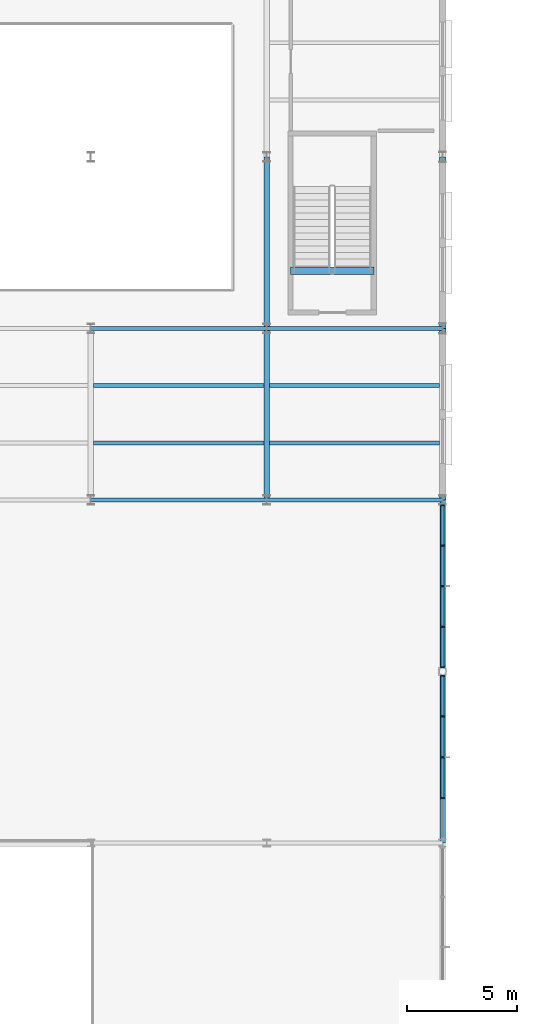
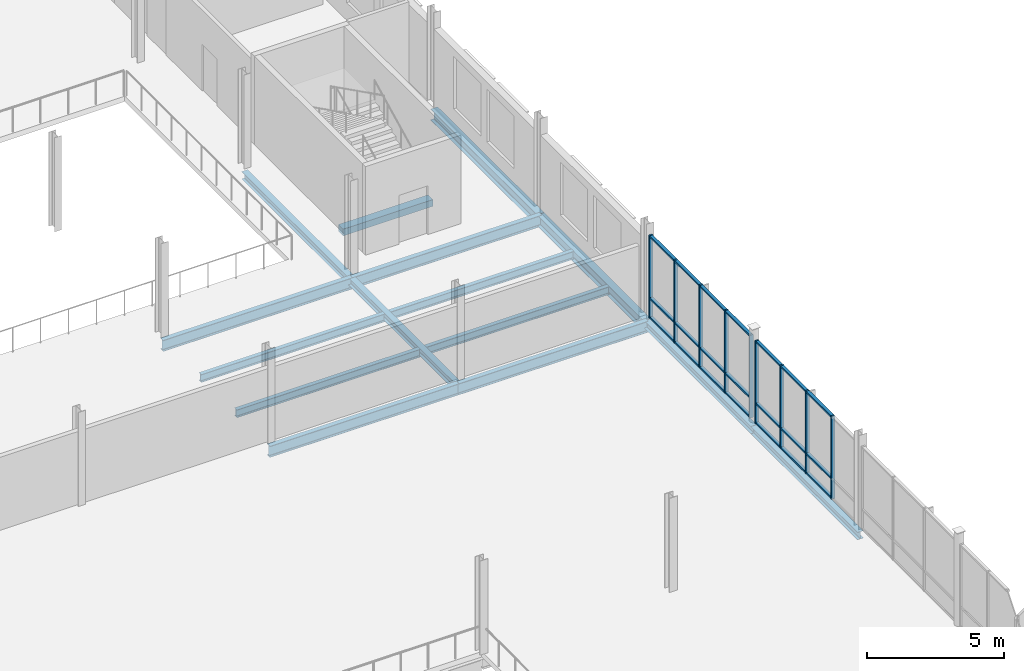
# One storey, part 31 of 75: 30 members, 15 beams, 2 elements without a shape of their own.
"""IFC4 building model written with IfcOpenShell, lengths in metres."""

import ifcopenshell
import ifcopenshell.guid

model = None  # the IFC model being written
_history = None  # IfcOwnerHistory: only IFC2X3 demands one
_inside = {}  # id of a spatial element -> (the spatial element, [elements in it])
_under = {}  # id of a project, library or spatial element -> (it, [spatial elements below it])
_declared = {}  # id of a project -> (the project, [libraries it declares])
_typed = {}  # id of a type object -> (the type object, [elements of that type])
_made_of = {}  # id of a material, layer set ... -> (it, [elements and type objects made of it])


def new_model(schema):
    """Start an empty IFC model of exactly this schema.

    Asked for "IFC4X3", IfcOpenShell would pick the latest addendum, in which some entities
    have other attributes; the version numbers below select the first issue.
    IFC2X3 requires an IfcOwnerHistory on every rooted entity: one is made here for all.
    """
    global model, _history
    if schema == "IFC4X3":
        model = ifcopenshell.file(schema_version=(4, 3, 0, 0))
    else:
        model = ifcopenshell.file(schema=schema)
    _inside.clear()
    _under.clear()
    _declared.clear()
    _typed.clear()
    _made_of.clear()
    _history = None
    if model.schema == "IFC2X3":
        org = make("IfcOrganization", Name="unknown")
        user = make(
            "IfcPersonAndOrganization",
            ThePerson=make("IfcPerson", FamilyName="unknown"),
            TheOrganization=org,
        )
        app = make(
            "IfcApplication",
            ApplicationDeveloper=org,
            Version="unknown",
            ApplicationFullName="unknown",
            ApplicationIdentifier="unknown",
        )
        _history = make(
            "IfcOwnerHistory",
            OwningUser=user,
            OwningApplication=app,
            ChangeAction="ADDED",
            CreationDate=0,
        )
    return model


def make(cls, **values):
    """One entity of the class cls with the attributes given. An attribute that is None is left unset."""
    return model.create_entity(
        cls, **{name: value for name, value in values.items() if value is not None}
    )


def rooted(cls, **values):
    """An entity with a GlobalId (a new one), such as an element, a storey or a relation."""
    return make(cls, GlobalId=ifcopenshell.guid.new(), OwnerHistory=_history, **values)


def si_unit(unit_type, name, prefix=None):
    """IfcSIUnit, for example si_unit("LENGTHUNIT", "METRE", prefix="MILLI")."""
    return make("IfcSIUnit", UnitType=unit_type, Prefix=prefix, Name=name)


def assignment(units):
    """IfcUnitAssignment: the units of a project."""
    return None if units is None else make("IfcUnitAssignment", Units=units)


def point(xyz):
    """IfcCartesianPoint."""
    return None if xyz is None else make("IfcCartesianPoint", Coordinates=xyz)


def direction(xyz):
    """IfcDirection."""
    return None if xyz is None else make("IfcDirection", DirectionRatios=xyz)


def frame(location, z_axis=None, x_axis=None):
    """IfcAxis2Placement3D, a coordinate frame: its origin and axes. An axis left out is left unset."""
    return make(
        "IfcAxis2Placement3D",
        Location=point(location),
        Axis=direction(z_axis),
        RefDirection=direction(x_axis),
    )


def frame_2d(location, x_axis=None):
    """IfcAxis2Placement2D, a coordinate frame in the plane: its origin and x axis."""
    return make(
        "IfcAxis2Placement2D", Location=point(location), RefDirection=direction(x_axis)
    )


def origin():
    """The frame at (0, 0, 0) with its axes left unset."""
    return frame((0.0, 0.0, 0.0))


def origin_2d():
    """The frame at (0, 0) in the plane with its x axis left unset."""
    return frame_2d((0.0, 0.0))


def place(relative_to, where):
    """IfcLocalPlacement: puts the frame where relative to a parent placement (None: the world)."""
    return make(
        "IfcLocalPlacement", PlacementRelTo=relative_to, RelativePlacement=where
    )


def context(
    kind, dimensions, precision=None, world=None, true_north=None, identifier=None
):
    """IfcGeometricRepresentationContext, for example the 3D "Model" context."""
    return make(
        "IfcGeometricRepresentationContext",
        ContextIdentifier=identifier,
        ContextType=kind,
        CoordinateSpaceDimension=dimensions,
        Precision=precision,
        WorldCoordinateSystem=world,
        TrueNorth=true_north,
    )


def subcontext(parent, identifier, kind, view, scale=None):
    """IfcGeometricRepresentationSubContext, for example "Body" below "Model"."""
    return make(
        "IfcGeometricRepresentationSubContext",
        ContextIdentifier=identifier,
        ContextType=kind,
        ParentContext=parent,
        TargetScale=scale,
        TargetView=view,
    )


def project(units=None, contexts=None):
    """IfcProject with its units and contexts."""
    return rooted(
        "IfcProject",
        Name="project",
        RepresentationContexts=contexts,
        UnitsInContext=assignment(units),
    )


def spatial(cls, under=None, at=None, **own):
    """A site, building, storey or space (cls), placed at a placement, below another one or the project."""
    s = rooted(cls, ObjectPlacement=at, **own)
    if under is not None:
        _under.setdefault(under.id(), (under, []))[1].append(s)
    return s


def profile(cls, at=None, kind="AREA", **sizes):
    """A parametric profile (cls). Its sizes go by their IFC names, for example OverallWidth=200.0."""
    return make(cls, ProfileType=kind, Position=at, **sizes)


def rectangle(**sizes):
    """IfcRectangleProfileDef."""
    return profile("IfcRectangleProfileDef", **sizes)


def i_section(**sizes):
    """IfcIShapeProfileDef."""
    return profile("IfcIShapeProfileDef", **sizes)


def extrude(swept, where, along, depth):
    """IfcExtrudedAreaSolid: the profile swept, set in the frame where, extruded along a direction by depth."""
    return make(
        "IfcExtrudedAreaSolid",
        SweptArea=swept,
        Position=where,
        ExtrudedDirection=direction(along),
        Depth=depth,
    )


def shape(context_of_items, identifier, shape_type, items):
    """IfcShapeRepresentation: the items that make up one representation, for example the "Body"."""
    return make(
        "IfcShapeRepresentation",
        ContextOfItems=context_of_items,
        RepresentationIdentifier=identifier,
        RepresentationType=shape_type,
        Items=items,
    )


def material(Name=None, Category=None):
    """IfcMaterial."""
    return make("IfcMaterial", Name=Name, Category=Category)


def layer(
    of_material, thickness, ventilated=None, Name=None, Category=None, Priority=None
):
    """IfcMaterialLayer: one layer of a wall or slab, of a material (None: an air gap)."""
    return make(
        "IfcMaterialLayer",
        Material=of_material,
        LayerThickness=thickness,
        IsVentilated=ventilated,
        Name=Name,
        Category=Category,
        Priority=Priority,
    )


def layer_set(layers, Name=None):
    """IfcMaterialLayerSet."""
    return make("IfcMaterialLayerSet", MaterialLayers=layers, LayerSetName=Name)


def material_profile(
    of_material, cross_section, Name=None, Category=None, Priority=None
):
    """IfcMaterialProfile: a cross section and its material."""
    return make(
        "IfcMaterialProfile",
        Name=Name,
        Material=of_material,
        Profile=cross_section,
        Priority=Priority,
        Category=Category,
    )


def profile_set(profiles, Name=None, composite=None):
    """IfcMaterialProfileSet."""
    return make(
        "IfcMaterialProfileSet",
        Name=Name,
        MaterialProfiles=profiles,
        CompositeProfile=composite,
    )


def made_of(thing, what):
    """Note that an element or type object is made of a material, layer set ...; save() writes the relation."""
    if what is not None:
        _made_of.setdefault(what.id(), (what, []))[1].append(thing)
    return thing


def type_object(cls, material=None, **own):
    """A type object (cls), such as IfcWallType, which elements share."""
    return made_of(rooted(cls, **own), material)


def element(
    cls,
    number,
    at=None,
    inside=None,
    cuts=None,
    type_object=None,
    material=None,
    context=None,
    identifier="Body",
    shape_type=None,
    held_by="IfcProductDefinitionShape",
    body=None,
    shapes=None,
    **own,
):
    """One element of the class cls, such as IfcWall. Its Tag is "e" and its number.

    at: its placement. inside: the storey or other place that contains it. cuts: it is an
    opening in that element (IfcRelVoidsElement). A single representation is given by context,
    identifier, shape_type and body (its items); several are given by shapes. held_by: the class
    of the entity that holds the representations. save() writes the other relations.
    """
    e = rooted(cls, Tag="e%d" % number, ObjectPlacement=at, **own)
    if body is not None:
        shapes = [shape(context, identifier, shape_type, body)]
    if shapes is not None:
        e.Representation = make(held_by, Representations=shapes)
    if inside is not None:
        _inside.setdefault(inside.id(), (inside, []))[1].append(e)
    if cuts is not None:
        rooted(
            "IfcRelVoidsElement", RelatingBuildingElement=cuts, RelatedOpeningElement=e
        )
    if type_object is not None:
        _typed.setdefault(type_object.id(), (type_object, []))[1].append(e)
    return made_of(e, material)


def aggregate(whole, parts):
    """IfcRelAggregates: a whole, such as a stair, and the parts it consists of."""
    return rooted("IfcRelAggregates", RelatingObject=whole, RelatedObjects=parts)


def save(model, path):
    """Write the relations noted so far, then the file.

    IfcRelAggregates (storeys below a building ...), IfcRelContainedInSpatialStructure (elements
    in a storey), IfcRelDefinesByType, IfcRelAssociatesMaterial and IfcRelDeclares: one each for
    every whole, place, type object, material and project.
    """
    for whole, parts in _under.values():
        aggregate(whole, parts)
    for where, things in _inside.values():
        rooted(
            "IfcRelContainedInSpatialStructure",
            RelatedElements=things,
            RelatingStructure=where,
        )
    for kind, things in _typed.values():
        rooted("IfcRelDefinesByType", RelatedObjects=things, RelatingType=kind)
    for what, things in _made_of.values():
        rooted("IfcRelAssociatesMaterial", RelatedObjects=things, RelatingMaterial=what)
    for by, libraries in _declared.values():
        rooted("IfcRelDeclares", RelatingContext=by, RelatedDefinitions=libraries)
    model.write(path)


model = new_model("IFC4")

# Units and contexts
model_context = context("Model", 3, precision=1e-05, world=origin(), true_north=direction((0.0, 1.0)))
body_context = subcontext(model_context, "Body", "Model", "MODEL_VIEW")
ifc_project = project(units=[si_unit("LENGTHUNIT", "METRE"), si_unit("AREAUNIT", "SQUARE_METRE"), si_unit("VOLUMEUNIT", "CUBIC_METRE"), si_unit("PLANEANGLEUNIT", "RADIAN"), si_unit("MASSUNIT", "GRAM", prefix="KILO")], contexts=[model_context])

# Site, building, storey
site_placement = place(None, origin())
site = spatial("IfcSite", under=ifc_project, at=site_placement, CompositionType="ELEMENT")
building_placement = place(site_placement, origin())
building = spatial("IfcBuilding", under=site, at=building_placement, Name="Yukiwa Park Conservatory and Herbarium", CompositionType="ELEMENT")
storey_placement = place(building_placement, frame((0.0, 0.0, 4.800048828125)))
storey = spatial("IfcBuildingStorey", under=building, at=storey_placement, Name="L01", CompositionType="ELEMENT", Elevation=4.800048828125)

# Beams
ifc_material_1 = material(Name="Steel Q355D", Category="steel")
ifc_material_profile_1 = material_profile(ifc_material_1, i_section(OverallWidth=0.25, OverallDepth=0.340087890625, WebThickness=0.009033203125, FlangeThickness=0.013916015625, FilletRadius=0.02001953125, at=origin_2d()), Name="HM 340x250x9x14")
ifc_profile_set_1 = profile_set([ifc_material_profile_1], Name="Steel Q355D")
beam_type_1 = type_object("IfcBeamType", Name="BM-GRD-HM340", PredefinedType="BEAM", material=ifc_profile_set_1)
for number, where, z_axis, x_axis, name in (
    (1, (100.0, 46.805908203125, -0.41015625), (0.0, 1.0, 0.0), (-1.0, 0.0, 0.0), "L01 grid girder Y-143"),
    (2, (100.0, 54.60595703125, -0.41015625), (0.0, 1.0, 0.0), (-1.0, 0.0, 0.0), "L01 grid girder Y-144"),
):
    element("IfcBeam", number, at=place(storey_placement, frame(where, z_axis=z_axis, x_axis=x_axis)), inside=storey, type_object=beam_type_1, Name=name, PredefinedType="BEAM", context=body_context, shape_type="SweptSolid", body=[
        extrude(i_section(OverallWidth=0.25, OverallDepth=0.340087890625, WebThickness=0.009033203125, FlangeThickness=0.013916015625, FilletRadius=0.02001953125, at=origin_2d()), origin(), (0.0, 0.0, 1.0), 7.7880859375),
    ])
for number, where, z_axis, x_axis, name in (
    (3, (108.0, 31.2060546875, -0.41015625), (0.0, 1.0, 0.0), (-1.0, 0.0, 0.0), "L01 grid girder Y-149"),
    (4, (108.0, 39.006103515625, -0.41015625), (0.0, 1.0, 0.0), (-1.0, 0.0, 0.0), "L01 grid girder Y-150"),
):
    element("IfcBeam", number, at=place(storey_placement, frame(where, z_axis=z_axis, x_axis=x_axis)), inside=storey, type_object=beam_type_1, Name=name, PredefinedType="BEAM", context=body_context, shape_type="SweptSolid", body=[
        extrude(i_section(OverallWidth=0.25, OverallDepth=0.340087890625, WebThickness=0.009033203125, FlangeThickness=0.013916015625, FilletRadius=0.02001953125, at=origin_2d()), origin(), (0.0, 0.0, 1.0), 7.787841796875),
    ])
ifc_material_2 = material(Name="Steel Q355D", Category="steel")
ifc_material_profile_2 = material_profile(ifc_material_2, i_section(OverallWidth=0.199951171875, OverallDepth=0.5, WebThickness=0.010009765625, FlangeThickness=0.01611328125, FilletRadius=0.02001953125, at=origin_2d()), Name="HN 500x200x10x16")
ifc_profile_set_2 = profile_set([ifc_material_profile_2], Name="Steel Q355D")
beam_type_2 = type_object("IfcBeamType", Name="BM-GRD-HN500", PredefinedType="BEAM", material=ifc_profile_set_2)
for number, where, z_axis, x_axis, name in (
    (5, (92.006103515625, 46.800048828125, -0.489990234375), (1.0, 0.0, 0.0), (0.0, 1.0, 0.0), "L01 grid beam X-36"),
    (6, (100.006103515625, 46.800048828125, -0.489990234375), (1.0, 0.0, 0.0), (0.0, 1.0, 0.0), "L01 grid beam X-37"),
    (7, (92.006103515625, 54.60009765625, -0.489990234375), (1.0, 0.0, 0.0), (0.0, 1.0, 0.0), "L01 grid beam X-42"),
    (8, (100.006103515625, 54.60009765625, -0.489990234375), (1.0, 0.0, 0.0), (0.0, 1.0, 0.0), "L01 grid beam X-43"),
):
    element("IfcBeam", number, at=place(storey_placement, frame(where, z_axis=z_axis, x_axis=x_axis)), inside=storey, type_object=beam_type_2, Name=name, PredefinedType="BEAM", context=body_context, shape_type="SweptSolid", body=[
        extrude(i_section(OverallWidth=0.199951171875, OverallDepth=0.5, WebThickness=0.010009765625, FlangeThickness=0.01611328125, FilletRadius=0.02001953125, at=origin_2d()), origin(), (0.0, 0.0, 1.0), 7.98779296875),
    ])
ifc_material_3 = material(Name="Steel Q355D", Category="steel")
ifc_material_profile_3 = material_profile(ifc_material_3, i_section(OverallWidth=0.175048828125, OverallDepth=0.35009765625, WebThickness=0.007080078125, FlangeThickness=0.010986328125, FilletRadius=0.013916015625, at=origin_2d()), Name="HN 350x175x7x11")
ifc_profile_set_3 = profile_set([ifc_material_profile_3], Name="Steel Q355D")
beam_type_3 = type_object("IfcBeamType", Name="BM-JST-HN350", PredefinedType="JOIST", material=ifc_profile_set_3)
for number, where, z_axis, x_axis, name in (
    (9, (92.12109375, 49.39990234375, -0.4150390625), (1.0, 0.0, 0.0), (0.0, 1.0, 0.0), "L01 composite floor joist 37"),
    (10, (92.12109375, 52.0, -0.4150390625), (1.0, 0.0, 0.0), (0.0, 1.0, 0.0), "L01 composite floor joist 38"),
):
    element("IfcBeam", number, at=place(storey_placement, frame(where, z_axis=z_axis, x_axis=x_axis)), inside=storey, type_object=beam_type_3, Name=name, PredefinedType="JOIST", context=body_context, shape_type="SweptSolid", body=[
        extrude(i_section(OverallWidth=0.175048828125, OverallDepth=0.35009765625, WebThickness=0.007080078125, FlangeThickness=0.010986328125, FilletRadius=0.013916015625, at=origin_2d()), origin(), (0.0, 0.0, 1.0), 7.7578125),
    ])
for number, where, z_axis, x_axis, name in (
    (11, (100.12109375, 49.39990234375, -0.4150390625), (1.0, 0.0, 0.0), (0.0, 1.0, 0.0), "L01 composite floor joist 41"),
    (12, (100.12109375, 52.0, -0.4150390625), (1.0, 0.0, 0.0), (0.0, 1.0, 0.0), "L01 composite floor joist 42"),
):
    element("IfcBeam", number, at=place(storey_placement, frame(where, z_axis=z_axis, x_axis=x_axis)), inside=storey, type_object=beam_type_3, Name=name, PredefinedType="JOIST", context=body_context, shape_type="SweptSolid", body=[
        extrude(i_section(OverallWidth=0.175048828125, OverallDepth=0.35009765625, WebThickness=0.007080078125, FlangeThickness=0.010986328125, FilletRadius=0.013916015625, at=origin_2d()), origin(), (0.0, 0.0, 1.0), 7.73291015625),
    ])
ifc_material_4 = material(Name="Steel Q355D", Category="steel")
ifc_material_profile_4 = material_profile(ifc_material_4, i_section(OverallWidth=0.300048828125, OverallDepth=0.493896484375, WebThickness=0.010986328125, FlangeThickness=0.014892578125, FilletRadius=0.02392578125, at=origin_2d()), Name="HM 494x300x11x15")
ifc_profile_set_4 = profile_set([ifc_material_profile_4], Name="Steel Q355D")
beam_type_4 = type_object("IfcBeamType", Name="BM-SPN-HN450", PredefinedType="SPANDREL", material=ifc_profile_set_4)
for number, where, z_axis, x_axis, name in (
    (13, (108.0, 46.805908203125, -0.487060546875), (0.0, 1.0, 0.0), (-1.0, 0.0, 0.0), "L01 spandrel girder Y-151"),
    (14, (108.0, 54.60595703125, -0.487060546875), (0.0, 1.0, 0.0), (-1.0, 0.0, 0.0), "L01 spandrel girder Y-152"),
):
    element("IfcBeam", number, at=place(storey_placement, frame(where, z_axis=z_axis, x_axis=x_axis)), inside=storey, type_object=beam_type_4, Name=name, PredefinedType="SPANDREL", context=body_context, shape_type="SweptSolid", body=[
        extrude(i_section(OverallWidth=0.300048828125, OverallDepth=0.493896484375, WebThickness=0.010986328125, FlangeThickness=0.014892578125, FilletRadius=0.02392578125, at=origin_2d()), origin(), (0.0, 0.0, 1.0), 7.7880859375),
    ])
ifc_material_5 = material(Name="Concrete C40", Category="concrete")
ifc_material_profile_5 = material_profile(ifc_material_5, rectangle(XDim=0.35009765625, YDim=0.300048828125, at=origin_2d()), Name="RC 350x300")
ifc_profile_set_5 = profile_set([ifc_material_profile_5], Name="Concrete C40")
beam_type_5 = type_object("IfcBeamType", Name="BM-STAIR-TRIM", PredefinedType="BEAM", material=ifc_profile_set_5)
beam_placement = place(storey_placement, frame((101.080078125, 57.22998046875, -0.150146484375), z_axis=(1.0, 0.0, 0.0), x_axis=(0.0, 1.0, 0.0)))
element("IfcBeam", 15, at=beam_placement, inside=storey, type_object=beam_type_5, Name="Stair ST-V2 L01 landing trimmer beam", PredefinedType="BEAM", context=body_context, shape_type="SweptSolid", body=[
    extrude(rectangle(XDim=0.35009765625, YDim=0.300048828125, at=origin_2d()), origin(), (0.0, 0.0, 1.0), 3.7900390625),
])

# Curtain wall, members
ifc_material_6 = material(Name="Triple Low-E Insulated Glass", Category="glass")
ifc_layer = layer(ifc_material_6, 0.18798828125)
ifc_layer_set = layer_set([ifc_layer], Name="Triple Low-E Insulated Glass")
curtain_wall_type = type_object("IfcCurtainWallType", Name="CW-CONCOURSE-2000", PredefinedType="NOTDEFINED", material=ifc_layer_set)
curtain_wall_1_placement = place(storey_placement, origin())
curtain_wall_1 = element("IfcCurtainWall", 16, at=curtain_wall_1_placement, inside=storey, type_object=curtain_wall_type, Name="L01 unitised curtain wall CW-L01-044", PredefinedType="NOTDEFINED")
ifc_material_7 = material(Name="Anodised Aluminium", Category="aluminium")
member_type_1 = type_object("IfcMemberType", Name="MB-CW-MUL-70X150", PredefinedType="MULLION", material=ifc_material_7)
member_1_placement = place(storey_placement, frame((108.0, 33.23681640625, 0.0), z_axis=(0.0, 0.0, 1.0), x_axis=(0.0, 1.0, 0.0)))
member_1 = element("IfcMember", 17, at=member_1_placement, type_object=member_type_1, Name="CW-L01-044 mullion 2", PredefinedType="MULLION", context=body_context, shape_type="SweptSolid", body=[
    extrude(rectangle(XDim=0.070068359375, YDim=0.14990234375, at=origin_2d()), origin(), (0.0, 0.0, 1.0), 3.699951171875),
])
member_2_placement = place(storey_placement, frame((108.0, 35.0986328125, 0.0), z_axis=(0.0, 0.0, 1.0), x_axis=(0.0, 1.0, 0.0)))
member_2 = element("IfcMember", 18, at=member_2_placement, type_object=member_type_1, Name="CW-L01-044 mullion 3", PredefinedType="MULLION", context=body_context, shape_type="SweptSolid", body=[
    extrude(rectangle(XDim=0.070068359375, YDim=0.14990234375, at=origin_2d()), origin(), (0.0, 0.0, 1.0), 3.699951171875),
])
member_3_placement = place(storey_placement, frame((108.0, 36.96044921875, 0.0), z_axis=(0.0, 0.0, 1.0), x_axis=(0.0, 1.0, 0.0)))
member_3 = element("IfcMember", 19, at=member_3_placement, type_object=member_type_1, Name="CW-L01-044 mullion 4", PredefinedType="MULLION", context=body_context, shape_type="SweptSolid", body=[
    extrude(rectangle(XDim=0.070068359375, YDim=0.14990234375, at=origin_2d()), origin(), (0.0, 0.0, 1.0), 3.699951171875),
])
member_4_placement = place(storey_placement, frame((108.0, 38.787109375, 0.0), z_axis=(0.0, 0.0, 1.0), x_axis=(0.0, 1.0, 0.0)))
member_4 = element("IfcMember", 20, at=member_4_placement, type_object=member_type_1, Name="CW-L01-044 mullion 5", PredefinedType="MULLION", context=body_context, shape_type="SweptSolid", body=[
    extrude(rectangle(XDim=0.070068359375, YDim=0.14990234375, at=origin_2d()), origin(), (0.0, 0.0, 1.0), 3.699951171875),
])

curtain_wall_2_placement = place(storey_placement, origin())
curtain_wall_2 = element("IfcCurtainWall", 21, at=curtain_wall_2_placement, inside=storey, type_object=curtain_wall_type, Name="L01 unitised curtain wall CW-L01-045", PredefinedType="NOTDEFINED")
member_5_placement = place(storey_placement, frame((108.0, 39.212890625, 0.0), z_axis=(0.0, 0.0, 1.0), x_axis=(0.0, 1.0, 0.0)))
member_5 = element("IfcMember", 22, at=member_5_placement, type_object=member_type_1, Name="CW-L01-045 mullion 1", PredefinedType="MULLION", context=body_context, shape_type="SweptSolid", body=[
    extrude(rectangle(XDim=0.070068359375, YDim=0.14990234375, at=origin_2d()), origin(), (0.0, 0.0, 1.0), 3.699951171875),
])
member_6_placement = place(storey_placement, frame((108.0, 41.0283203125, 0.0), z_axis=(0.0, 0.0, 1.0), x_axis=(0.0, 1.0, 0.0)))
member_6 = element("IfcMember", 23, at=member_6_placement, type_object=member_type_1, Name="CW-L01-045 mullion 2", PredefinedType="MULLION", context=body_context, shape_type="SweptSolid", body=[
    extrude(rectangle(XDim=0.070068359375, YDim=0.14990234375, at=origin_2d()), origin(), (0.0, 0.0, 1.0), 3.699951171875),
])
member_7_placement = place(storey_placement, frame((108.0, 42.87890625, 0.0), z_axis=(0.0, 0.0, 1.0), x_axis=(0.0, 1.0, 0.0)))
member_7 = element("IfcMember", 24, at=member_7_placement, type_object=member_type_1, Name="CW-L01-045 mullion 3", PredefinedType="MULLION", context=body_context, shape_type="SweptSolid", body=[
    extrude(rectangle(XDim=0.070068359375, YDim=0.14990234375, at=origin_2d()), origin(), (0.0, 0.0, 1.0), 3.699951171875),
])
member_8_placement = place(storey_placement, frame((108.0, 44.7294921875, 0.0), z_axis=(0.0, 0.0, 1.0), x_axis=(0.0, 1.0, 0.0)))
member_8 = element("IfcMember", 25, at=member_8_placement, type_object=member_type_1, Name="CW-L01-045 mullion 4", PredefinedType="MULLION", context=body_context, shape_type="SweptSolid", body=[
    extrude(rectangle(XDim=0.070068359375, YDim=0.14990234375, at=origin_2d()), origin(), (0.0, 0.0, 1.0), 3.699951171875),
])
member_9_placement = place(storey_placement, frame((108.0, 46.544921875, 0.0), z_axis=(0.0, 0.0, 1.0), x_axis=(0.0, 1.0, 0.0)))
member_9 = element("IfcMember", 26, at=member_9_placement, type_object=member_type_1, Name="CW-L01-045 mullion 5", PredefinedType="MULLION", context=body_context, shape_type="SweptSolid", body=[
    extrude(rectangle(XDim=0.070068359375, YDim=0.14990234375, at=origin_2d()), origin(), (0.0, 0.0, 1.0), 3.699951171875),
])

# Member
ifc_material_8 = material(Name="Anodised Aluminium", Category="aluminium")
member_type_2 = type_object("IfcMemberType", Name="MB-CW-TRN-70X130", PredefinedType="USERDEFINED", material=ifc_material_8)
member_10_placement = place(storey_placement, frame((108.0, 34.167724609375, 0.0), z_axis=(0.0, 0.0, 1.0), x_axis=(0.0, 1.0, 0.0)))
member_10 = element("IfcMember", 27, at=member_10_placement, type_object=member_type_2, Name="CW-L01-044 transom 2.1", ObjectType="TRANSOM", PredefinedType="USERDEFINED", context=body_context, shape_type="SweptSolid", body=[
    extrude(rectangle(XDim=1.791748046875, YDim=0.1298828125, at=origin_2d()), origin(), (0.0, 0.0, 1.0), 0.070068359375),
])

member_11_placement = place(storey_placement, frame((108.0, 34.167724609375, 0.86474609375), z_axis=(0.0, 0.0, 1.0), x_axis=(0.0, 1.0, 0.0)))
member_11 = element("IfcMember", 28, at=member_11_placement, type_object=member_type_2, Name="CW-L01-044 transom 2.2", ObjectType="TRANSOM", PredefinedType="USERDEFINED", context=body_context, shape_type="SweptSolid", body=[
    extrude(rectangle(XDim=1.791748046875, YDim=0.1298828125, at=origin_2d()), origin(), (0.0, 0.0, 1.0), 0.070068359375),
])

member_12_placement = place(storey_placement, frame((108.0, 34.167724609375, 3.6298828125), z_axis=(0.0, 0.0, 1.0), x_axis=(0.0, 1.0, 0.0)))
member_12 = element("IfcMember", 29, at=member_12_placement, type_object=member_type_2, Name="CW-L01-044 transom 2.3", ObjectType="TRANSOM", PredefinedType="USERDEFINED", context=body_context, shape_type="SweptSolid", body=[
    extrude(rectangle(XDim=1.791748046875, YDim=0.1298828125, at=origin_2d()), origin(), (0.0, 0.0, 1.0), 0.070068359375),
])

member_13_placement = place(storey_placement, frame((108.0, 36.029541015625, 0.0), z_axis=(0.0, 0.0, 1.0), x_axis=(0.0, 1.0, 0.0)))
member_13 = element("IfcMember", 30, at=member_13_placement, type_object=member_type_2, Name="CW-L01-044 transom 3.1", ObjectType="TRANSOM", PredefinedType="USERDEFINED", context=body_context, shape_type="SweptSolid", body=[
    extrude(rectangle(XDim=1.791748046875, YDim=0.1298828125, at=origin_2d()), origin(), (0.0, 0.0, 1.0), 0.070068359375),
])

member_14_placement = place(storey_placement, frame((108.0, 36.029541015625, 0.86474609375), z_axis=(0.0, 0.0, 1.0), x_axis=(0.0, 1.0, 0.0)))
member_14 = element("IfcMember", 31, at=member_14_placement, type_object=member_type_2, Name="CW-L01-044 transom 3.2", ObjectType="TRANSOM", PredefinedType="USERDEFINED", context=body_context, shape_type="SweptSolid", body=[
    extrude(rectangle(XDim=1.791748046875, YDim=0.1298828125, at=origin_2d()), origin(), (0.0, 0.0, 1.0), 0.070068359375),
])

member_15_placement = place(storey_placement, frame((108.0, 36.029541015625, 3.6298828125), z_axis=(0.0, 0.0, 1.0), x_axis=(0.0, 1.0, 0.0)))
member_15 = element("IfcMember", 32, at=member_15_placement, type_object=member_type_2, Name="CW-L01-044 transom 3.3", ObjectType="TRANSOM", PredefinedType="USERDEFINED", context=body_context, shape_type="SweptSolid", body=[
    extrude(rectangle(XDim=1.791748046875, YDim=0.1298828125, at=origin_2d()), origin(), (0.0, 0.0, 1.0), 0.070068359375),
])

member_16_placement = place(storey_placement, frame((108.0, 37.891357421875, 0.0), z_axis=(0.0, 0.0, 1.0), x_axis=(0.0, 1.0, 0.0)))
member_16 = element("IfcMember", 33, at=member_16_placement, type_object=member_type_2, Name="CW-L01-044 transom 4.1", ObjectType="TRANSOM", PredefinedType="USERDEFINED", context=body_context, shape_type="SweptSolid", body=[
    extrude(rectangle(XDim=1.791748046875, YDim=0.1298828125, at=origin_2d()), origin(), (0.0, 0.0, 1.0), 0.070068359375),
])

member_17_placement = place(storey_placement, frame((108.0, 37.891357421875, 0.86474609375), z_axis=(0.0, 0.0, 1.0), x_axis=(0.0, 1.0, 0.0)))
member_17 = element("IfcMember", 34, at=member_17_placement, type_object=member_type_2, Name="CW-L01-044 transom 4.2", ObjectType="TRANSOM", PredefinedType="USERDEFINED", context=body_context, shape_type="SweptSolid", body=[
    extrude(rectangle(XDim=1.791748046875, YDim=0.1298828125, at=origin_2d()), origin(), (0.0, 0.0, 1.0), 0.070068359375),
])

member_18_placement = place(storey_placement, frame((108.0, 37.891357421875, 3.6298828125), z_axis=(0.0, 0.0, 1.0), x_axis=(0.0, 1.0, 0.0)))
member_18 = element("IfcMember", 35, at=member_18_placement, type_object=member_type_2, Name="CW-L01-044 transom 4.3", ObjectType="TRANSOM", PredefinedType="USERDEFINED", context=body_context, shape_type="SweptSolid", body=[
    extrude(rectangle(XDim=1.791748046875, YDim=0.1298828125, at=origin_2d()), origin(), (0.0, 0.0, 1.0), 0.070068359375),
])

aggregate(curtain_wall_1, [member_1, member_2, member_3, member_4, member_10, member_11, member_12, member_13, member_14, member_15, member_16, member_17, member_18])

member_19_placement = place(storey_placement, frame((108.0, 40.10302734375, 0.0), z_axis=(0.0, 0.0, 1.0), x_axis=(0.0, 1.0, 0.0)))
member_19 = element("IfcMember", 36, at=member_19_placement, type_object=member_type_2, Name="CW-L01-045 transom 1.1", ObjectType="TRANSOM", PredefinedType="USERDEFINED", context=body_context, shape_type="SweptSolid", body=[
    extrude(rectangle(XDim=1.780517578125, YDim=0.1298828125, at=origin_2d()), origin(), (0.0, 0.0, 1.0), 0.070068359375),
])

member_20_placement = place(storey_placement, frame((108.0, 40.10302734375, 0.86474609375), z_axis=(0.0, 0.0, 1.0), x_axis=(0.0, 1.0, 0.0)))
member_20 = element("IfcMember", 37, at=member_20_placement, type_object=member_type_2, Name="CW-L01-045 transom 1.2", ObjectType="TRANSOM", PredefinedType="USERDEFINED", context=body_context, shape_type="SweptSolid", body=[
    extrude(rectangle(XDim=1.780517578125, YDim=0.1298828125, at=origin_2d()), origin(), (0.0, 0.0, 1.0), 0.070068359375),
])

member_21_placement = place(storey_placement, frame((108.0, 40.10302734375, 3.6298828125), z_axis=(0.0, 0.0, 1.0), x_axis=(0.0, 1.0, 0.0)))
member_21 = element("IfcMember", 38, at=member_21_placement, type_object=member_type_2, Name="CW-L01-045 transom 1.3", ObjectType="TRANSOM", PredefinedType="USERDEFINED", context=body_context, shape_type="SweptSolid", body=[
    extrude(rectangle(XDim=1.780517578125, YDim=0.1298828125, at=origin_2d()), origin(), (0.0, 0.0, 1.0), 0.070068359375),
])

member_22_placement = place(storey_placement, frame((108.0, 41.95361328125, 0.0), z_axis=(0.0, 0.0, 1.0), x_axis=(0.0, 1.0, 0.0)))
member_22 = element("IfcMember", 39, at=member_22_placement, type_object=member_type_2, Name="CW-L01-045 transom 2.1", ObjectType="TRANSOM", PredefinedType="USERDEFINED", context=body_context, shape_type="SweptSolid", body=[
    extrude(rectangle(XDim=1.780517578125, YDim=0.1298828125, at=origin_2d()), origin(), (0.0, 0.0, 1.0), 0.070068359375),
])

member_23_placement = place(storey_placement, frame((108.0, 41.95361328125, 0.86474609375), z_axis=(0.0, 0.0, 1.0), x_axis=(0.0, 1.0, 0.0)))
member_23 = element("IfcMember", 40, at=member_23_placement, type_object=member_type_2, Name="CW-L01-045 transom 2.2", ObjectType="TRANSOM", PredefinedType="USERDEFINED", context=body_context, shape_type="SweptSolid", body=[
    extrude(rectangle(XDim=1.780517578125, YDim=0.1298828125, at=origin_2d()), origin(), (0.0, 0.0, 1.0), 0.070068359375),
])

member_24_placement = place(storey_placement, frame((108.0, 41.95361328125, 3.6298828125), z_axis=(0.0, 0.0, 1.0), x_axis=(0.0, 1.0, 0.0)))
member_24 = element("IfcMember", 41, at=member_24_placement, type_object=member_type_2, Name="CW-L01-045 transom 2.3", ObjectType="TRANSOM", PredefinedType="USERDEFINED", context=body_context, shape_type="SweptSolid", body=[
    extrude(rectangle(XDim=1.780517578125, YDim=0.1298828125, at=origin_2d()), origin(), (0.0, 0.0, 1.0), 0.070068359375),
])

member_25_placement = place(storey_placement, frame((108.0, 43.80419921875, 0.0), z_axis=(0.0, 0.0, 1.0), x_axis=(0.0, 1.0, 0.0)))
member_25 = element("IfcMember", 42, at=member_25_placement, type_object=member_type_2, Name="CW-L01-045 transom 3.1", ObjectType="TRANSOM", PredefinedType="USERDEFINED", context=body_context, shape_type="SweptSolid", body=[
    extrude(rectangle(XDim=1.780517578125, YDim=0.1298828125, at=origin_2d()), origin(), (0.0, 0.0, 1.0), 0.070068359375),
])

member_26_placement = place(storey_placement, frame((108.0, 43.80419921875, 0.86474609375), z_axis=(0.0, 0.0, 1.0), x_axis=(0.0, 1.0, 0.0)))
member_26 = element("IfcMember", 43, at=member_26_placement, type_object=member_type_2, Name="CW-L01-045 transom 3.2", ObjectType="TRANSOM", PredefinedType="USERDEFINED", context=body_context, shape_type="SweptSolid", body=[
    extrude(rectangle(XDim=1.780517578125, YDim=0.1298828125, at=origin_2d()), origin(), (0.0, 0.0, 1.0), 0.070068359375),
])

member_27_placement = place(storey_placement, frame((108.0, 43.80419921875, 3.6298828125), z_axis=(0.0, 0.0, 1.0), x_axis=(0.0, 1.0, 0.0)))
member_27 = element("IfcMember", 44, at=member_27_placement, type_object=member_type_2, Name="CW-L01-045 transom 3.3", ObjectType="TRANSOM", PredefinedType="USERDEFINED", context=body_context, shape_type="SweptSolid", body=[
    extrude(rectangle(XDim=1.780517578125, YDim=0.1298828125, at=origin_2d()), origin(), (0.0, 0.0, 1.0), 0.070068359375),
])

member_28_placement = place(storey_placement, frame((108.0, 45.65478515625, 0.0), z_axis=(0.0, 0.0, 1.0), x_axis=(0.0, 1.0, 0.0)))
member_28 = element("IfcMember", 45, at=member_28_placement, type_object=member_type_2, Name="CW-L01-045 transom 4.1", ObjectType="TRANSOM", PredefinedType="USERDEFINED", context=body_context, shape_type="SweptSolid", body=[
    extrude(rectangle(XDim=1.780517578125, YDim=0.1298828125, at=origin_2d()), origin(), (0.0, 0.0, 1.0), 0.070068359375),
])

member_29_placement = place(storey_placement, frame((108.0, 45.65478515625, 0.86474609375), z_axis=(0.0, 0.0, 1.0), x_axis=(0.0, 1.0, 0.0)))
member_29 = element("IfcMember", 46, at=member_29_placement, type_object=member_type_2, Name="CW-L01-045 transom 4.2", ObjectType="TRANSOM", PredefinedType="USERDEFINED", context=body_context, shape_type="SweptSolid", body=[
    extrude(rectangle(XDim=1.780517578125, YDim=0.1298828125, at=origin_2d()), origin(), (0.0, 0.0, 1.0), 0.070068359375),
])

member_30_placement = place(storey_placement, frame((108.0, 45.65478515625, 3.6298828125), z_axis=(0.0, 0.0, 1.0), x_axis=(0.0, 1.0, 0.0)))
member_30 = element("IfcMember", 47, at=member_30_placement, type_object=member_type_2, Name="CW-L01-045 transom 4.3", ObjectType="TRANSOM", PredefinedType="USERDEFINED", context=body_context, shape_type="SweptSolid", body=[
    extrude(rectangle(XDim=1.780517578125, YDim=0.1298828125, at=origin_2d()), origin(), (0.0, 0.0, 1.0), 0.070068359375),
])

aggregate(curtain_wall_2, [member_5, member_6, member_7, member_8, member_9, member_19, member_20, member_21, member_22, member_23, member_24, member_25, member_26, member_27, member_28, member_29, member_30])

save(model, "model.ifc")
